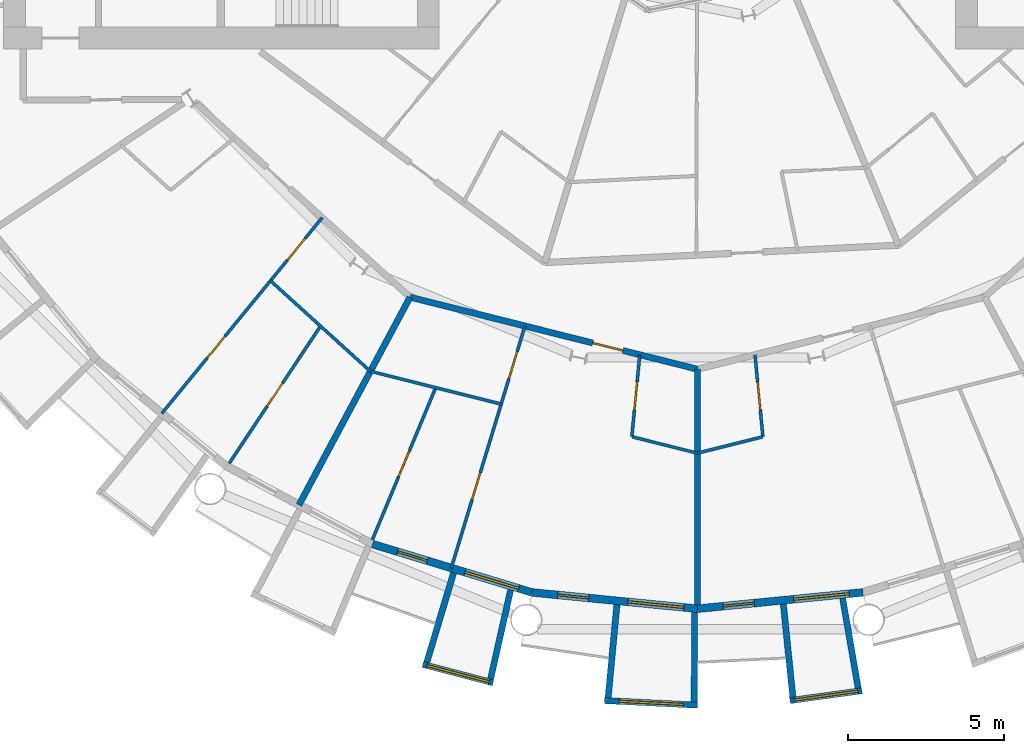
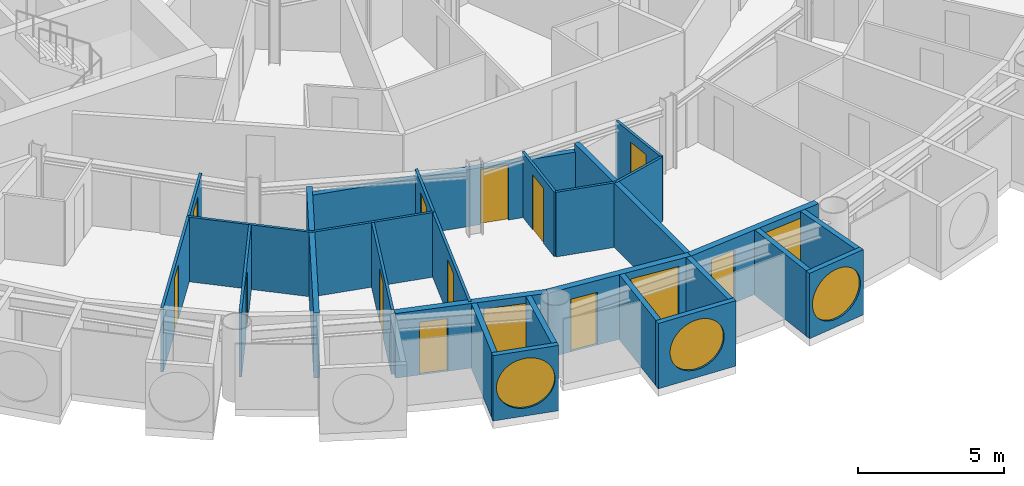
# One storey, part 13 of 26: 25 walls, 12 doors, 6 windows, 18 openings.
"""IFC4 building model written with IfcOpenShell, lengths in metres."""

from ifc_helpers import new_model, si_unit, direction, frame, frame_2d, origin, place, context, subcontext, project, spatial, rectangle, circle, extrude, material, layer, layer_set, type_object, element, fill, save


model = new_model("IFC4")

# Units and contexts
model_context = context("Model", 3, precision=1e-05, world=origin(), true_north=direction((0.0, 1.0)))
body_context = subcontext(model_context, "Body", "Model", "MODEL_VIEW")
ifc_project = project(units=[si_unit("LENGTHUNIT", "METRE"), si_unit("AREAUNIT", "SQUARE_METRE"), si_unit("VOLUMEUNIT", "CUBIC_METRE"), si_unit("PLANEANGLEUNIT", "RADIAN"), si_unit("MASSUNIT", "GRAM", prefix="KILO")], contexts=[model_context])

# Site, building, storey
site_placement = place(None, origin())
site = spatial("IfcSite", under=ifc_project, at=site_placement, CompositionType="ELEMENT")
building_placement = place(site_placement, origin())
building = spatial("IfcBuilding", under=site, at=building_placement, Name="Maasbend Ring Residences", CompositionType="ELEMENT")
storey_placement = place(building_placement, frame((0.0, 0.0, 81.89990234375)))
storey = spatial("IfcBuildingStorey", under=building, at=storey_placement, Name="L23", CompositionType="ELEMENT", Elevation=81.89990234375)

# Wall, opening, door
ifc_material_1 = material(Name="Concrete C30/37", Category="concrete")
ifc_layer_1 = layer(ifc_material_1, 0.199951171875)
ifc_layer_set_1 = layer_set([ifc_layer_1], Name="Concrete C30/37")
wall_type_1 = type_object("IfcWallType", Name="CORRIDOR WALL 200 CONCRETE", PredefinedType="PARTITIONING", material=ifc_layer_set_1)
wall_1_placement = place(storey_placement, frame((-9.241943359375, -17.283935546875, 0.0), z_axis=(0.0, 0.0, 1.0), x_axis=(0.970002158938, -0.243096301198, 0.0)))
wall_1 = element("IfcWall", 1, at=wall_1_placement, inside=storey, type_object=wall_type_1, Name="U-L23-w012", PredefinedType="PARTITIONING", context=body_context, shape_type="SweptSolid", body=[
    extrude(rectangle(XDim=9.52783203125, YDim=0.199951171875, at=frame_2d((4.763916015625, 0.0))), origin(), (0.0, 0.0, 1.0), 2.380126953125),
])
opening_1_placement = place(wall_1_placement, frame((6.06201171875, 0.0, 0.0)))
opening_1 = element("IfcOpeningElement", 2, at=opening_1_placement, cuts=wall_1, Name="Opening D-2338", PredefinedType="OPENING", context=body_context, shape_type="SweptSolid", body=[
    extrude(rectangle(XDim=1.0, YDim=2.300048828125, at=frame_2d((0.5, 1.14990234375))), frame((0.0, 0.10986328125, 0.0), z_axis=(0.0, -1.0, 0.0), x_axis=(1.0, 0.0, 0.0)), (0.0, 0.0, 1.0), 0.219970703125),
])
ifc_material_2 = material(Name="Timber, fire-rated, painted", Category="wood")
door_type_1 = type_object("IfcDoorType", Name="FLAT ENTRANCE DOOR 1000 X 2300 FIRE-RATED", OperationType="NOTDEFINED", PredefinedType="DOOR", material=ifc_material_2)
door_1_placement = place(opening_1_placement, origin())
door_1 = element("IfcDoor", 3, at=door_1_placement, inside=storey, type_object=door_type_1, Name="D-2338", OperationType="SINGLE_SWING_RIGHT", OverallHeight=2.300048828125, OverallWidth=1.0, PredefinedType="DOOR", context=body_context, shape_type="SweptSolid", body=[
    extrude(rectangle(XDim=1.0, YDim=2.300048828125, at=frame_2d((0.5, 1.14990234375))), frame((0.0, 0.02490234375, 0.0), z_axis=(0.0, -1.0, 0.0), x_axis=(1.0, 0.0, 0.0)), (0.0, 0.0, 1.0), 0.050048828125),
])
fill(opening_1, door_1)

# Wall, opening, window
ifc_material_3 = material(Name="Pale anodised aluminium panel", Category="aluminium")
ifc_layer_2 = layer(ifc_material_3, 0.199951171875)
ifc_layer_set_2 = layer_set([ifc_layer_2], Name="EW-BOX")
wall_type_2 = type_object("IfcWallType", Name="EW-BOX", PredefinedType="SOLIDWALL", material=ifc_layer_set_2)
wall_2_placement = place(storey_placement, frame((-8.827880859375, -29.090087890625, -0.02978515625), z_axis=(0.0, 0.0, 1.0), x_axis=(0.967377102346, -0.253340762326, 0.0)))
wall_2 = element("IfcWall", 4, at=wall_2_placement, inside=storey, type_object=wall_type_2, Name="Box front S08", PredefinedType="SOLIDWALL", context=body_context, shape_type="SweptSolid", body=[
    extrude(rectangle(XDim=2.3359375, YDim=0.199951171875, at=frame_2d((1.16796875, 0.0))), origin(), (0.0, 0.0, 1.0), 2.72998046875),
])
opening_2_placement = place(wall_2_placement, frame((0.128173828125, 0.0, 0.330078125)))
opening_2 = element("IfcOpeningElement", 5, at=opening_2_placement, cuts=wall_2, Name="Opening W-RD", PredefinedType="OPENING", context=body_context, shape_type="SweptSolid", body=[
    extrude(circle(Radius=1.0400390625, at=frame_2d((1.0400390625, 1.0400390625))), frame((0.0, 0.10986328125, 0.0), z_axis=(0.0, -1.0, 0.0), x_axis=(1.0, 0.0, 0.0)), (0.0, 0.0, 1.0), 0.219970703125),
])
ifc_material_4 = material(Name="Aluminium and clear glass", Category="aluminium")
window_type_1 = type_object("IfcWindowType", Name="W-RD", PartitioningType="SINGLE_PANEL", PredefinedType="WINDOW", material=ifc_material_4)
window_1_placement = place(opening_2_placement, origin())
window_1 = element("IfcWindow", 6, at=window_1_placement, inside=storey, type_object=window_type_1, Name="Round window S08", OverallHeight=2.080078125, OverallWidth=2.080078125, PartitioningType="SINGLE_PANEL", PredefinedType="WINDOW", context=body_context, shape_type="SweptSolid", body=[
    extrude(circle(Radius=1.0400390625, at=frame_2d((1.0400390625, 1.0400390625))), frame((0.0, 0.030029296875, 0.0), z_axis=(0.0, -1.0, 0.0), x_axis=(1.0, 0.0, 0.0)), (0.0, 0.0, 1.0), 0.06005859375),
])
fill(opening_2, window_1)

# Walls
wall_3_placement = place(storey_placement, frame((-7.8369140625, -26.14404296875, -0.02978515625), z_axis=(0.0, 0.0, 1.0), x_axis=(-0.287064767992, -0.957911174889, 0.0)))
element("IfcWall", 7, at=wall_3_placement, inside=storey, type_object=wall_type_2, Name="Box side wall S08 left", PredefinedType="SOLIDWALL", context=body_context, shape_type="SweptSolid", body=[
    extrude(rectangle(XDim=3.00634765625, YDim=0.199951171875, at=frame_2d((1.503173828125, 0.0))), origin(), (0.0, 0.0, 1.0), 2.72998046875),
])
wall_4_placement = place(storey_placement, frame((-6.00390625, -26.699951171875, -0.02978515625), z_axis=(0.0, 0.0, 1.0), x_axis=(-0.219609259383, -0.975587911566, 0.0)))
element("IfcWall", 8, at=wall_4_placement, inside=storey, type_object=wall_type_2, Name="Box side wall S08 right", PredefinedType="SOLIDWALL", context=body_context, shape_type="SweptSolid", body=[
    extrude(rectangle(XDim=2.9326171875, YDim=0.199951171875, at=frame_2d((1.46630859375, 0.0))), origin(), (0.0, 0.0, 1.0), 2.72998046875),
])

# Wall, opening, window
wall_5_placement = place(storey_placement, frame((-2.985107421875, -30.2529296875, -0.02978515625), z_axis=(0.0, 0.0, 1.0), x_axis=(0.998794083011, -0.049095618353, 0.0)))
wall_5 = element("IfcWall", 9, at=wall_5_placement, inside=storey, type_object=wall_type_2, Name="Box front S10", PredefinedType="SOLIDWALL", context=body_context, shape_type="SweptSolid", body=[
    extrude(rectangle(XDim=2.99365234375, YDim=0.199951171875, at=frame_2d((1.496826171875, 0.0))), origin(), (0.0, 0.0, 1.0), 2.72998046875),
])
opening_3_placement = place(wall_5_placement, frame((0.45654296875, 0.0, 0.330078125)))
opening_3 = element("IfcOpeningElement", 10, at=opening_3_placement, cuts=wall_5, Name="Opening W-RD", PredefinedType="OPENING", context=body_context, shape_type="SweptSolid", body=[
    extrude(circle(Radius=1.0400390625, at=frame_2d((1.0400390625, 1.0400390625))), frame((0.0, 0.10986328125, 0.0), z_axis=(0.0, -1.0, 0.0), x_axis=(1.0, 0.0, 0.0)), (0.0, 0.0, 1.0), 0.219970703125),
])
window_2_placement = place(opening_3_placement, origin())
window_2 = element("IfcWindow", 11, at=window_2_placement, inside=storey, type_object=window_type_1, Name="Round window S10", OverallHeight=2.080078125, OverallWidth=2.080078125, PartitioningType="SINGLE_PANEL", PredefinedType="WINDOW", context=body_context, shape_type="SweptSolid", body=[
    extrude(circle(Radius=1.0400390625, at=frame_2d((1.0400390625, 1.0400390625))), frame((0.0, 0.030029296875, 0.0), z_axis=(0.0, -1.0, 0.0), x_axis=(1.0, 0.0, 0.0)), (0.0, 0.0, 1.0), 0.06005859375),
])
fill(opening_3, window_2)

# Walls
wall_6_placement = place(storey_placement, frame((-2.5859375, -27.1708984375, -0.02978515625), z_axis=(0.0, 0.0, 1.0), x_axis=(-0.094548432284, -0.995520262954, 0.0)))
element("IfcWall", 12, at=wall_6_placement, inside=storey, type_object=wall_type_2, Name="Box side wall S10 left", PredefinedType="SOLIDWALL", context=body_context, shape_type="SweptSolid", body=[
    extrude(rectangle(XDim=3.005615234375, YDim=0.199951171875, at=frame_2d((1.5029296875, 0.0))), origin(), (0.0, 0.0, 1.0), 2.72998046875),
])
wall_7_placement = place(storey_placement, frame((-0.090087890625, -27.4169921875, -0.02978515625), z_axis=(0.0, 0.0, 1.0), x_axis=(-0.00347308367, -0.999993968827, 0.0)))
element("IfcWall", 13, at=wall_7_placement, inside=storey, type_object=wall_type_2, Name="Box side wall S10 right", PredefinedType="SOLIDWALL", context=body_context, shape_type="SweptSolid", body=[
    extrude(rectangle(XDim=2.882080078125, YDim=0.199951171875, at=frame_2d((1.44091796875, 0.0))), origin(), (0.0, 0.0, 1.0), 2.72998046875),
])

# Wall, opening, window
wall_8_placement = place(storey_placement, frame((2.97607421875, -30.25390625, -0.02978515625), z_axis=(0.0, 0.0, 1.0), x_axis=(0.990696111261, 0.136092671119, 0.0)))
wall_8 = element("IfcWall", 14, at=wall_8_placement, inside=storey, type_object=wall_type_2, Name="Box front S12", PredefinedType="SOLIDWALL", context=body_context, shape_type="SweptSolid", body=[
    extrude(rectangle(XDim=2.335693359375, YDim=0.199951171875, at=frame_2d((1.16796875, 0.0))), origin(), (0.0, 0.0, 1.0), 2.72998046875),
])
opening_4_placement = place(wall_8_placement, frame((0.128173828125, 0.0, 0.330078125)))
opening_4 = element("IfcOpeningElement", 15, at=opening_4_placement, cuts=wall_8, Name="Opening W-RD", PredefinedType="OPENING", context=body_context, shape_type="SweptSolid", body=[
    extrude(circle(Radius=1.0400390625, at=frame_2d((1.0400390625, 1.0400390625))), frame((0.0, 0.10986328125, 0.0), z_axis=(0.0, -1.0, 0.0), x_axis=(1.0, 0.0, 0.0)), (0.0, 0.0, 1.0), 0.219970703125),
])
window_3_placement = place(opening_4_placement, origin())
window_3 = element("IfcWindow", 16, at=window_3_placement, inside=storey, type_object=window_type_1, Name="Round window S12", OverallHeight=2.080078125, OverallWidth=2.080078125, PartitioningType="SINGLE_PANEL", PredefinedType="WINDOW", context=body_context, shape_type="SweptSolid", body=[
    extrude(circle(Radius=1.0400390625, at=frame_2d((1.0400390625, 1.0400390625))), frame((0.0, 0.030029296875, 0.0), z_axis=(0.0, -1.0, 0.0), x_axis=(1.0, 0.0, 0.0)), (0.0, 0.0, 1.0), 0.06005859375),
])
fill(opening_4, window_3)

# Walls
wall_9_placement = place(storey_placement, frame((2.763916015625, -27.153076171875, -0.02978515625), z_axis=(0.0, 0.0, 1.0), x_axis=(0.101505487237, -0.994834979311, 0.0)))
element("IfcWall", 17, at=wall_9_placement, inside=storey, type_object=wall_type_2, Name="Box side wall S12 left", PredefinedType="SOLIDWALL", context=body_context, shape_type="SweptSolid", body=[
    extrude(rectangle(XDim=3.006591796875, YDim=0.199951171875, at=frame_2d((1.50341796875, 0.0))), origin(), (0.0, 0.0, 1.0), 2.72998046875),
])
wall_10_placement = place(storey_placement, frame((4.6708984375, -26.966064453125, -0.02978515625), z_axis=(0.0, 0.0, 1.0), x_axis=(0.170539878907, -0.985350774954, 0.0)))
element("IfcWall", 18, at=wall_10_placement, inside=storey, type_object=wall_type_2, Name="Box side wall S12 right", PredefinedType="SOLIDWALL", context=body_context, shape_type="SweptSolid", body=[
    extrude(rectangle(XDim=2.931884765625, YDim=0.199951171875, at=frame_2d((1.4658203125, 0.0))), origin(), (0.0, 0.0, 1.0), 2.72998046875),
])

# Wall, openings, door, window
ifc_material_5 = material(Name="Aluminium clad insulated panel", Category="aluminium")
ifc_layer_3 = layer(ifc_material_5, 0.25)
ifc_layer_set_3 = layer_set([ifc_layer_3], Name="EW-GL")
wall_type_3 = type_object("IfcWallType", Name="EW-GL", PredefinedType="SOLIDWALL", material=ifc_layer_set_3)
wall_11_placement = place(storey_placement, frame((-10.447021484375, -25.221923828125, 0.0), z_axis=(0.0, 0.0, 1.0), x_axis=(0.956965678721, -0.290201119486, 0.0)))
wall_11 = element("IfcWall", 19, at=wall_11_placement, inside=storey, type_object=wall_type_3, Name="External wall S04", PredefinedType="SOLIDWALL", context=body_context, shape_type="SweptSolid", body=[
    extrude(rectangle(XDim=5.351318359375, YDim=0.25, at=frame_2d((2.67578125, 0.0))), origin(), (0.0, 0.0, 1.0), 2.7001953125),
])
opening_5_placement = place(wall_11_placement, frame((0.841064453125, 0.0, 0.0)))
opening_5 = element("IfcOpeningElement", 20, at=opening_5_placement, cuts=wall_11, Name="Opening D-LG", PredefinedType="OPENING", context=body_context, shape_type="SweptSolid", body=[
    extrude(rectangle(XDim=1.0, YDim=2.199951171875, at=frame_2d((0.5, 1.10009765625))), frame((0.0, 0.135009765625, 0.0), z_axis=(0.0, -1.0, 0.0), x_axis=(1.0, 0.0, 0.0)), (0.0, 0.0, 1.0), 0.27001953125),
])
opening_6_placement = place(wall_11_placement, frame((3.110595703125, 0.0, 0.300048828125)))
opening_6 = element("IfcOpeningElement", 21, at=opening_6_placement, cuts=wall_11, Name="Opening W-BX", PredefinedType="OPENING", context=body_context, shape_type="SweptSolid", body=[
    extrude(rectangle(XDim=1.800048828125, YDim=2.10009765625, at=frame_2d((0.89990234375, 1.050048828125))), frame((0.0, 0.135009765625, 0.0), z_axis=(0.0, -1.0, 0.0), x_axis=(1.0, 0.0, 0.0)), (0.0, 0.0, 1.0), 0.27001953125),
])
ifc_material_6 = material(Name="Aluminium and clear glass", Category="aluminium")
door_type_2 = type_object("IfcDoorType", Name="D-LG", OperationType="SINGLE_SWING_LEFT", PredefinedType="DOOR", material=ifc_material_6)
door_2_placement = place(opening_5_placement, origin())
door_2 = element("IfcDoor", 22, at=door_2_placement, inside=storey, type_object=door_type_2, Name="Loggia door S07", OperationType="SINGLE_SWING_LEFT", OverallHeight=2.199951171875, OverallWidth=1.0, PredefinedType="DOOR", context=body_context, shape_type="SweptSolid", body=[
    extrude(rectangle(XDim=1.0, YDim=2.199951171875, at=frame_2d((0.5, 1.10009765625))), frame((0.0, 0.02490234375, 0.0), z_axis=(0.0, -1.0, 0.0), x_axis=(1.0, 0.0, 0.0)), (0.0, 0.0, 1.0), 0.050048828125),
])
fill(opening_5, door_2)
ifc_material_7 = material(Name="Aluminium and clear glass", Category="aluminium")
window_type_2 = type_object("IfcWindowType", Name="W-BX", PartitioningType="DOUBLE_PANEL_VERTICAL", PredefinedType="WINDOW", material=ifc_material_7)
window_4_placement = place(opening_6_placement, origin())
window_4 = element("IfcWindow", 23, at=window_4_placement, inside=storey, type_object=window_type_2, Name="Window S08 room to box", OverallHeight=2.10009765625, OverallWidth=1.800048828125, PartitioningType="SINGLE_PANEL", PredefinedType="WINDOW", context=body_context, shape_type="SweptSolid", body=[
    extrude(rectangle(XDim=1.800048828125, YDim=2.10009765625, at=frame_2d((0.89990234375, 1.050048828125))), frame((0.0, 0.030029296875, 0.0), z_axis=(0.0, -1.0, 0.0), x_axis=(1.0, 0.0, 0.0)), (0.0, 0.0, 1.0), 0.06005859375),
])
fill(opening_6, window_4)

wall_12_placement = place(storey_placement, frame((-5.325927734375, -26.77490234375, 0.0), z_axis=(0.0, 0.0, 1.0), x_axis=(0.995173996315, -0.098126026407, 0.0)))
wall_12 = element("IfcWall", 24, at=wall_12_placement, inside=storey, type_object=wall_type_3, Name="External wall S05", PredefinedType="SOLIDWALL", context=body_context, shape_type="SweptSolid", body=[
    extrude(rectangle(XDim=5.351806640625, YDim=0.25, at=frame_2d((2.67578125, 0.0))), origin(), (0.0, 0.0, 1.0), 2.7001953125),
])
opening_7_placement = place(wall_12_placement, frame((0.841064453125, 0.0, 0.0)))
opening_7 = element("IfcOpeningElement", 25, at=opening_7_placement, cuts=wall_12, Name="Opening D-LG", PredefinedType="OPENING", context=body_context, shape_type="SweptSolid", body=[
    extrude(rectangle(XDim=1.0, YDim=2.199951171875, at=frame_2d((0.5, 1.10009765625))), frame((0.0, 0.135009765625, 0.0), z_axis=(0.0, -1.0, 0.0), x_axis=(1.0, 0.0, 0.0)), (0.0, 0.0, 1.0), 0.27001953125),
])
opening_8_placement = place(wall_12_placement, frame((3.110595703125, 0.0, 0.300048828125)))
opening_8 = element("IfcOpeningElement", 26, at=opening_8_placement, cuts=wall_12, Name="Opening W-BX", PredefinedType="OPENING", context=body_context, shape_type="SweptSolid", body=[
    extrude(rectangle(XDim=1.800048828125, YDim=2.10009765625, at=frame_2d((0.89990234375, 1.050048828125))), frame((0.0, 0.135009765625, 0.0), z_axis=(0.0, -1.0, 0.0), x_axis=(1.0, 0.0, 0.0)), (0.0, 0.0, 1.0), 0.27001953125),
])
door_3_placement = place(opening_7_placement, origin())
door_3 = element("IfcDoor", 27, at=door_3_placement, inside=storey, type_object=door_type_2, Name="Loggia door S09", OperationType="SINGLE_SWING_LEFT", OverallHeight=2.199951171875, OverallWidth=1.0, PredefinedType="DOOR", context=body_context, shape_type="SweptSolid", body=[
    extrude(rectangle(XDim=1.0, YDim=2.199951171875, at=frame_2d((0.5, 1.10009765625))), frame((0.0, 0.02490234375, 0.0), z_axis=(0.0, -1.0, 0.0), x_axis=(1.0, 0.0, 0.0)), (0.0, 0.0, 1.0), 0.050048828125),
])
fill(opening_7, door_3)
window_5_placement = place(opening_8_placement, origin())
window_5 = element("IfcWindow", 28, at=window_5_placement, inside=storey, type_object=window_type_2, Name="Window S10 room to box", OverallHeight=2.10009765625, OverallWidth=1.800048828125, PartitioningType="SINGLE_PANEL", PredefinedType="WINDOW", context=body_context, shape_type="SweptSolid", body=[
    extrude(rectangle(XDim=1.800048828125, YDim=2.10009765625, at=frame_2d((0.89990234375, 1.050048828125))), frame((0.0, 0.030029296875, 0.0), z_axis=(0.0, -1.0, 0.0), x_axis=(1.0, 0.0, 0.0)), (0.0, 0.0, 1.0), 0.06005859375),
])
fill(opening_8, window_5)

wall_13_placement = place(storey_placement, frame((0.0, -27.300048828125, 0.0), z_axis=(0.0, 0.0, 1.0), x_axis=(0.995173996315, 0.098126026407, 0.0)))
wall_13 = element("IfcWall", 29, at=wall_13_placement, inside=storey, type_object=wall_type_3, Name="External wall S06", PredefinedType="SOLIDWALL", context=body_context, shape_type="SweptSolid", body=[
    extrude(rectangle(XDim=5.351806640625, YDim=0.25, at=frame_2d((2.67578125, 0.0))), origin(), (0.0, 0.0, 1.0), 2.7001953125),
])
opening_9_placement = place(wall_13_placement, frame((0.841064453125, 0.0, 0.0)))
opening_9 = element("IfcOpeningElement", 30, at=opening_9_placement, cuts=wall_13, Name="Opening D-LG", PredefinedType="OPENING", context=body_context, shape_type="SweptSolid", body=[
    extrude(rectangle(XDim=1.0, YDim=2.199951171875, at=frame_2d((0.5, 1.10009765625))), frame((0.0, 0.135009765625, 0.0), z_axis=(0.0, -1.0, 0.0), x_axis=(1.0, 0.0, 0.0)), (0.0, 0.0, 1.0), 0.27001953125),
])
opening_10_placement = place(wall_13_placement, frame((3.110595703125, 0.0, 0.300048828125)))
opening_10 = element("IfcOpeningElement", 31, at=opening_10_placement, cuts=wall_13, Name="Opening W-BX", PredefinedType="OPENING", context=body_context, shape_type="SweptSolid", body=[
    extrude(rectangle(XDim=1.800048828125, YDim=2.10009765625, at=frame_2d((0.89990234375, 1.050048828125))), frame((0.0, 0.135009765625, 0.0), z_axis=(0.0, -1.0, 0.0), x_axis=(1.0, 0.0, 0.0)), (0.0, 0.0, 1.0), 0.27001953125),
])
door_4_placement = place(opening_9_placement, origin())
door_4 = element("IfcDoor", 32, at=door_4_placement, inside=storey, type_object=door_type_2, Name="Loggia door S11", OperationType="SINGLE_SWING_LEFT", OverallHeight=2.199951171875, OverallWidth=1.0, PredefinedType="DOOR", context=body_context, shape_type="SweptSolid", body=[
    extrude(rectangle(XDim=1.0, YDim=2.199951171875, at=frame_2d((0.5, 1.10009765625))), frame((0.0, 0.02490234375, 0.0), z_axis=(0.0, -1.0, 0.0), x_axis=(1.0, 0.0, 0.0)), (0.0, 0.0, 1.0), 0.050048828125),
])
fill(opening_9, door_4)
window_6_placement = place(opening_10_placement, origin())
window_6 = element("IfcWindow", 33, at=window_6_placement, inside=storey, type_object=window_type_2, Name="Window S12 room to box", OverallHeight=2.10009765625, OverallWidth=1.800048828125, PartitioningType="SINGLE_PANEL", PredefinedType="WINDOW", context=body_context, shape_type="SweptSolid", body=[
    extrude(rectangle(XDim=1.800048828125, YDim=2.10009765625, at=frame_2d((0.89990234375, 1.050048828125))), frame((0.0, 0.030029296875, 0.0), z_axis=(0.0, -1.0, 0.0), x_axis=(1.0, 0.0, 0.0)), (0.0, 0.0, 1.0), 0.06005859375),
])
fill(opening_10, window_6)

# Walls
ifc_material_8 = material(Name="Gypsum board on steel studs", Category="steel")
ifc_layer_4 = layer(ifc_material_8, 0.10009765625)
ifc_layer_set_4 = layer_set([ifc_layer_4], Name="PARTITION 100 GYPSUM")
wall_type_4 = type_object("IfcWallType", Name="PARTITION 100 GYPSUM", PredefinedType="PARTITIONING", material=ifc_layer_set_4)
wall_14_placement = place(storey_placement, frame((-13.72705078125, -16.75390625, 0.0), z_axis=(0.0, 0.0, 1.0), x_axis=(0.740840803797, -0.671680655839, 0.0)))
element("IfcWall", 34, at=wall_14_placement, inside=storey, type_object=wall_type_4, Name="U-L23-w004", PredefinedType="PARTITIONING", context=body_context, shape_type="SweptSolid", body=[
    extrude(rectangle(XDim=4.33837890625, YDim=0.10009765625, at=frame_2d((2.169189453125, 0.0))), origin(), (0.0, 0.0, 1.0), 2.7001953125),
])
wall_15_placement = place(storey_placement, frame((-10.51611328125, -19.666015625, 0.0), z_axis=(0.0, 0.0, 1.0), x_axis=(0.97005315629, -0.242892721118, 0.0)))
element("IfcWall", 35, at=wall_15_placement, inside=storey, type_object=wall_type_4, Name="U-L23-w005", PredefinedType="PARTITIONING", context=body_context, shape_type="SweptSolid", body=[
    extrude(rectangle(XDim=4.34326171875, YDim=0.10009765625, at=frame_2d((2.171630859375, 0.0))), origin(), (0.0, 0.0, 1.0), 2.7001953125),
])
for number, where, z_axis, x_axis, name in (
    (36, (-2.095947265625, -21.77392578125, 0.0), (0.0, 0.0, 1.0), (0.969969957613, -0.24322475476, 0.0), "U-L23-w006"),
    (37, (-0.006103515625, -22.301025390625, 0.0), (0.0, 0.0, 1.0), (0.969969957613, 0.24322475476, 0.0), "U-L23-w007"),
):
    element("IfcWall", number, at=place(storey_placement, frame(where, z_axis=z_axis, x_axis=x_axis)), inside=storey, type_object=wall_type_4, Name=name, PredefinedType="PARTITIONING", context=body_context, shape_type="SweptSolid", body=[
        extrude(rectangle(XDim=2.167236328125, YDim=0.10009765625, at=frame_2d((1.08349609375, 0.0))), origin(), (0.0, 0.0, 1.0), 2.7001953125),
    ])

# Wall, openings, doors
wall_16_placement = place(storey_placement, frame((-17.218994140625, -21.02294921875, 0.0), z_axis=(0.0, 0.0, 1.0), x_axis=(0.633664062855, 0.773608334654, 0.0)))
wall_16 = element("IfcWall", 38, at=wall_16_placement, inside=storey, type_object=wall_type_4, Name="U-L23-w031", PredefinedType="PARTITIONING", context=body_context, shape_type="SweptSolid", body=[
    extrude(rectangle(XDim=8.138427734375, YDim=0.10009765625, at=frame_2d((4.0693359375, 0.0))), origin(), (0.0, 0.0, 1.0), 2.7001953125),
])
opening_11_placement = place(wall_16_placement, frame((6.376953125, 0.0, 0.0)))
opening_11 = element("IfcOpeningElement", 39, at=opening_11_placement, cuts=wall_16, Name="Opening D-2335", PredefinedType="OPENING", context=body_context, shape_type="SweptSolid", body=[
    extrude(rectangle(XDim=0.89990234375, YDim=2.300048828125, at=frame_2d((0.449951171875, 1.14990234375))), frame((0.0, 0.06005859375, 0.0), z_axis=(0.0, -1.0, 0.0), x_axis=(1.0, 0.0, 0.0)), (0.0, 0.0, 1.0), 0.1201171875),
])
opening_12_placement = place(wall_16_placement, frame((2.30810546875, 0.0, 0.0)))
opening_12 = element("IfcOpeningElement", 40, at=opening_12_placement, cuts=wall_16, Name="Opening D-2336", PredefinedType="OPENING", context=body_context, shape_type="SweptSolid", body=[
    extrude(rectangle(XDim=0.89990234375, YDim=2.300048828125, at=frame_2d((0.449951171875, 1.14990234375))), frame((0.0, 0.06005859375, 0.0), z_axis=(0.0, -1.0, 0.0), x_axis=(1.0, 0.0, 0.0)), (0.0, 0.0, 1.0), 0.1201171875),
])
ifc_material_9 = material(Name="Timber, painted", Category="wood")
door_type_3 = type_object("IfcDoorType", Name="INTERNAL DOOR 900 X 2300", OperationType="NOTDEFINED", PredefinedType="DOOR", material=ifc_material_9)
door_5_placement = place(opening_11_placement, origin())
door_5 = element("IfcDoor", 41, at=door_5_placement, inside=storey, type_object=door_type_3, Name="D-2335", OperationType="SINGLE_SWING_RIGHT", OverallHeight=2.300048828125, OverallWidth=0.89990234375, PredefinedType="DOOR", context=body_context, shape_type="SweptSolid", body=[
    extrude(rectangle(XDim=0.89990234375, YDim=2.300048828125, at=frame_2d((0.449951171875, 1.14990234375))), frame((0.0, 0.02490234375, 0.0), z_axis=(0.0, -1.0, 0.0), x_axis=(1.0, 0.0, 0.0)), (0.0, 0.0, 1.0), 0.050048828125),
])
fill(opening_11, door_5)
door_6_placement = place(opening_12_placement, origin())
door_6 = element("IfcDoor", 42, at=door_6_placement, inside=storey, type_object=door_type_3, Name="D-2336", OperationType="SINGLE_SWING_LEFT", OverallHeight=2.300048828125, OverallWidth=0.89990234375, PredefinedType="DOOR", context=body_context, shape_type="SweptSolid", body=[
    extrude(rectangle(XDim=0.89990234375, YDim=2.300048828125, at=frame_2d((0.449951171875, 1.14990234375))), frame((0.0, 0.02490234375, 0.0), z_axis=(0.0, -1.0, 0.0), x_axis=(1.0, 0.0, 0.0)), (0.0, 0.0, 1.0), 0.050048828125),
])
fill(opening_12, door_6)

# Wall, opening, door
wall_17_placement = place(storey_placement, frame((-15.051025390625, -22.6259765625, 0.0), z_axis=(0.0, 0.0, 1.0), x_axis=(0.553913391217, 0.832574294, 0.0)))
wall_17 = element("IfcWall", 43, at=wall_17_placement, inside=storey, type_object=wall_type_4, Name="U-L23-w035", PredefinedType="PARTITIONING", context=body_context, shape_type="SweptSolid", body=[
    extrude(rectangle(XDim=5.300537109375, YDim=0.10009765625, at=frame_2d((2.650390625, 0.0))), origin(), (0.0, 0.0, 1.0), 2.7001953125),
])
opening_13_placement = place(wall_17_placement, frame((2.199951171875, 0.0, 0.0)))
opening_13 = element("IfcOpeningElement", 44, at=opening_13_placement, cuts=wall_17, Name="Opening D-2337", PredefinedType="OPENING", context=body_context, shape_type="SweptSolid", body=[
    extrude(rectangle(XDim=0.89990234375, YDim=2.300048828125, at=frame_2d((0.449951171875, 1.14990234375))), frame((0.0, 0.06005859375, 0.0), z_axis=(0.0, -1.0, 0.0), x_axis=(1.0, 0.0, 0.0)), (0.0, 0.0, 1.0), 0.1201171875),
])
door_7_placement = place(opening_13_placement, origin())
door_7 = element("IfcDoor", 45, at=door_7_placement, inside=storey, type_object=door_type_3, Name="D-2337", OperationType="SINGLE_SWING_RIGHT", OverallHeight=2.300048828125, OverallWidth=0.89990234375, PredefinedType="DOOR", context=body_context, shape_type="SweptSolid", body=[
    extrude(rectangle(XDim=0.89990234375, YDim=2.300048828125, at=frame_2d((0.449951171875, 1.14990234375))), frame((0.0, 0.02490234375, 0.0), z_axis=(0.0, -1.0, 0.0), x_axis=(1.0, 0.0, 0.0)), (0.0, 0.0, 1.0), 0.050048828125),
])
fill(opening_13, door_7)

wall_18_placement = place(storey_placement, frame((-10.449951171875, -25.0849609375, 0.0), z_axis=(0.0, 0.0, 1.0), x_axis=(0.384464934183, 0.923139596369, 0.0)))
wall_18 = element("IfcWall", 46, at=wall_18_placement, inside=storey, type_object=wall_type_4, Name="U-L23-w038", PredefinedType="PARTITIONING", context=body_context, shape_type="SweptSolid", body=[
    extrude(rectangle(XDim=5.300537109375, YDim=0.10009765625, at=frame_2d((2.650390625, 0.0))), origin(), (0.0, 0.0, 1.0), 2.7001953125),
])
opening_14_placement = place(wall_18_placement, frame((2.199951171875, 0.0, 0.0)))
opening_14 = element("IfcOpeningElement", 47, at=opening_14_placement, cuts=wall_18, Name="Opening D-2342", PredefinedType="OPENING", context=body_context, shape_type="SweptSolid", body=[
    extrude(rectangle(XDim=0.89990234375, YDim=2.300048828125, at=frame_2d((0.449951171875, 1.14990234375))), frame((0.0, 0.06005859375, 0.0), z_axis=(0.0, -1.0, 0.0), x_axis=(1.0, 0.0, 0.0)), (0.0, 0.0, 1.0), 0.1201171875),
])
door_8_placement = place(opening_14_placement, origin())
door_8 = element("IfcDoor", 48, at=door_8_placement, inside=storey, type_object=door_type_3, Name="D-2342", OperationType="SINGLE_SWING_RIGHT", OverallHeight=2.300048828125, OverallWidth=0.89990234375, PredefinedType="DOOR", context=body_context, shape_type="SweptSolid", body=[
    extrude(rectangle(XDim=0.89990234375, YDim=2.300048828125, at=frame_2d((0.449951171875, 1.14990234375))), frame((0.0, 0.02490234375, 0.0), z_axis=(0.0, -1.0, 0.0), x_axis=(1.0, 0.0, 0.0)), (0.0, 0.0, 1.0), 0.050048828125),
])
fill(opening_14, door_8)

# Wall, openings, doors
wall_19_placement = place(storey_placement, frame((-7.9140625, -25.9970703125, 0.0), z_axis=(0.0, 0.0, 1.0), x_axis=(0.291319167605, 0.956625915698, 0.0)))
wall_19 = element("IfcWall", 49, at=wall_19_placement, inside=storey, type_object=wall_type_4, Name="U-L23-w042", PredefinedType="PARTITIONING", context=body_context, shape_type="SweptSolid", body=[
    extrude(rectangle(XDim=8.13916015625, YDim=0.10009765625, at=frame_2d((4.069580078125, 0.0))), origin(), (0.0, 0.0, 1.0), 2.7001953125),
])
opening_15_placement = place(wall_19_placement, frame((6.376953125, 0.0, 0.0)))
opening_15 = element("IfcOpeningElement", 50, at=opening_15_placement, cuts=wall_19, Name="Opening D-2340", PredefinedType="OPENING", context=body_context, shape_type="SweptSolid", body=[
    extrude(rectangle(XDim=0.89990234375, YDim=2.300048828125, at=frame_2d((0.449951171875, 1.14990234375))), frame((0.0, 0.06005859375, 0.0), z_axis=(0.0, -1.0, 0.0), x_axis=(1.0, 0.0, 0.0)), (0.0, 0.0, 1.0), 0.1201171875),
])
opening_16_placement = place(wall_19_placement, frame((2.30810546875, 0.0, 0.0)))
opening_16 = element("IfcOpeningElement", 51, at=opening_16_placement, cuts=wall_19, Name="Opening D-2341", PredefinedType="OPENING", context=body_context, shape_type="SweptSolid", body=[
    extrude(rectangle(XDim=0.89990234375, YDim=2.300048828125, at=frame_2d((0.449951171875, 1.14990234375))), frame((0.0, 0.06005859375, 0.0), z_axis=(0.0, -1.0, 0.0), x_axis=(1.0, 0.0, 0.0)), (0.0, 0.0, 1.0), 0.1201171875),
])
door_9_placement = place(opening_15_placement, origin())
door_9 = element("IfcDoor", 52, at=door_9_placement, inside=storey, type_object=door_type_3, Name="D-2340", OperationType="SINGLE_SWING_RIGHT", OverallHeight=2.300048828125, OverallWidth=0.89990234375, PredefinedType="DOOR", context=body_context, shape_type="SweptSolid", body=[
    extrude(rectangle(XDim=0.89990234375, YDim=2.300048828125, at=frame_2d((0.449951171875, 1.14990234375))), frame((0.0, 0.02490234375, 0.0), z_axis=(0.0, -1.0, 0.0), x_axis=(1.0, 0.0, 0.0)), (0.0, 0.0, 1.0), 0.050048828125),
])
fill(opening_15, door_9)
door_10_placement = place(opening_16_placement, origin())
door_10 = element("IfcDoor", 53, at=door_10_placement, inside=storey, type_object=door_type_3, Name="D-2341", OperationType="SINGLE_SWING_LEFT", OverallHeight=2.300048828125, OverallWidth=0.89990234375, PredefinedType="DOOR", context=body_context, shape_type="SweptSolid", body=[
    extrude(rectangle(XDim=0.89990234375, YDim=2.300048828125, at=frame_2d((0.449951171875, 1.14990234375))), frame((0.0, 0.02490234375, 0.0), z_axis=(0.0, -1.0, 0.0), x_axis=(1.0, 0.0, 0.0)), (0.0, 0.0, 1.0), 0.050048828125),
])
fill(opening_16, door_10)

# Wall, opening, door
wall_20_placement = place(storey_placement, frame((-2.10693359375, -21.77197265625, 0.0), z_axis=(0.0, 0.0, 1.0), x_axis=(0.09627998515, 0.995354290923, 0.0)))
wall_20 = element("IfcWall", 54, at=wall_20_placement, inside=storey, type_object=wall_type_4, Name="U-L23-w050", PredefinedType="PARTITIONING", context=body_context, shape_type="SweptSolid", body=[
    extrude(rectangle(XDim=2.647216796875, YDim=0.10009765625, at=frame_2d((1.32373046875, 0.0))), origin(), (0.0, 0.0, 1.0), 2.7001953125),
])
opening_17_placement = place(wall_20_placement, frame((0.8740234375, 0.0, 0.0)))
opening_17 = element("IfcOpeningElement", 55, at=opening_17_placement, cuts=wall_20, Name="Opening D-2339", PredefinedType="OPENING", context=body_context, shape_type="SweptSolid", body=[
    extrude(rectangle(XDim=0.89990234375, YDim=2.300048828125, at=frame_2d((0.449951171875, 1.14990234375))), frame((0.0, 0.06005859375, 0.0), z_axis=(0.0, -1.0, 0.0), x_axis=(1.0, 0.0, 0.0)), (0.0, 0.0, 1.0), 0.1201171875),
])
door_11_placement = place(opening_17_placement, origin())
door_11 = element("IfcDoor", 56, at=door_11_placement, inside=storey, type_object=door_type_3, Name="D-2339", OperationType="SINGLE_SWING_LEFT", OverallHeight=2.300048828125, OverallWidth=0.89990234375, PredefinedType="DOOR", context=body_context, shape_type="SweptSolid", body=[
    extrude(rectangle(XDim=0.89990234375, YDim=2.300048828125, at=frame_2d((0.449951171875, 1.14990234375))), frame((0.0, 0.02490234375, 0.0), z_axis=(0.0, -1.0, 0.0), x_axis=(1.0, 0.0, 0.0)), (0.0, 0.0, 1.0), 0.050048828125),
])
fill(opening_17, door_11)

wall_21_placement = place(storey_placement, frame((1.85205078125, -19.136962890625, 0.0), z_axis=(0.0, 0.0, 1.0), x_axis=(0.09627998515, -0.995354290923, 0.0)))
wall_21 = element("IfcWall", 57, at=wall_21_placement, inside=storey, type_object=wall_type_4, Name="U-L23-w056", PredefinedType="PARTITIONING", context=body_context, shape_type="SweptSolid", body=[
    extrude(rectangle(XDim=2.647216796875, YDim=0.10009765625, at=frame_2d((1.32373046875, 0.0))), origin(), (0.0, 0.0, 1.0), 2.7001953125),
])
opening_18_placement = place(wall_21_placement, frame((0.8740234375, 0.0, 0.0)))
opening_18 = element("IfcOpeningElement", 58, at=opening_18_placement, cuts=wall_21, Name="Opening D-2344", PredefinedType="OPENING", context=body_context, shape_type="SweptSolid", body=[
    extrude(rectangle(XDim=0.89990234375, YDim=2.300048828125, at=frame_2d((0.449951171875, 1.14990234375))), frame((0.0, 0.06005859375, 0.0), z_axis=(0.0, -1.0, 0.0), x_axis=(1.0, 0.0, 0.0)), (0.0, 0.0, 1.0), 0.1201171875),
])
door_12_placement = place(opening_18_placement, origin())
door_12 = element("IfcDoor", 59, at=door_12_placement, inside=storey, type_object=door_type_3, Name="D-2344", OperationType="SINGLE_SWING_RIGHT", OverallHeight=2.300048828125, OverallWidth=0.89990234375, PredefinedType="DOOR", context=body_context, shape_type="SweptSolid", body=[
    extrude(rectangle(XDim=0.89990234375, YDim=2.300048828125, at=frame_2d((0.449951171875, 1.14990234375))), frame((0.0, 0.02490234375, 0.0), z_axis=(0.0, -1.0, 0.0), x_axis=(1.0, 0.0, 0.0)), (0.0, 0.0, 1.0), 0.050048828125),
])
fill(opening_18, door_12)

# Walls
ifc_material_10 = material(Name="Concrete C30/37", Category="concrete")
ifc_layer_5 = layer(ifc_material_10, 0.199951171875)
ifc_layer_set_5 = layer_set([ifc_layer_5], Name="Concrete C30/37")
wall_type_5 = type_object("IfcWallType", Name="PARTY WALL 200 CONCRETE", PredefinedType="PARTITIONING", material=ifc_layer_set_5)
wall_22_placement = place(storey_placement, frame((-12.81005859375, -23.966064453125, 0.0), z_axis=(0.0, 0.0, 1.0), x_axis=(0.471439510802, 0.881898399848, 0.0)))
element("IfcWall", 60, at=wall_22_placement, inside=storey, type_object=wall_type_5, Name="U-L23-w037", PredefinedType="PARTITIONING", context=body_context, shape_type="SweptSolid", body=[
    extrude(rectangle(XDim=7.57470703125, YDim=0.199951171875, at=frame_2d((3.787353515625, 0.0))), origin(), (0.0, 0.0, 1.0), 2.7001953125),
])
wall_23_placement = place(storey_placement, frame((0.0, -27.175048828125, 0.0), z_axis=(0.0, 0.0, 1.0), x_axis=(0.0, 1.0, 0.0)))
element("IfcWall", 61, at=wall_23_placement, inside=storey, type_object=wall_type_5, Name="U-L23-w053", PredefinedType="PARTITIONING", context=body_context, shape_type="SweptSolid", body=[
    extrude(rectangle(XDim=7.574951171875, YDim=0.199951171875, at=frame_2d((3.78759765625, 0.0))), origin(), (0.0, 0.0, 1.0), 2.7001953125),
])

save(model, "model.ifc")
